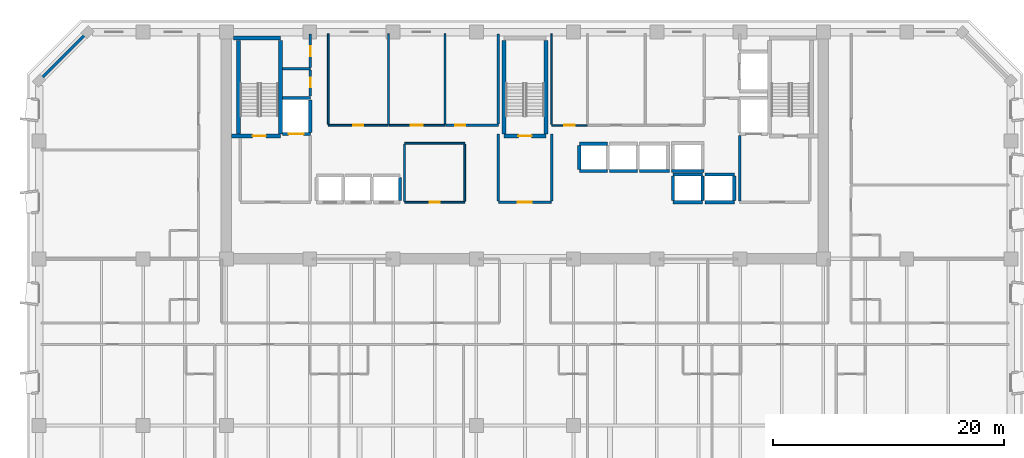
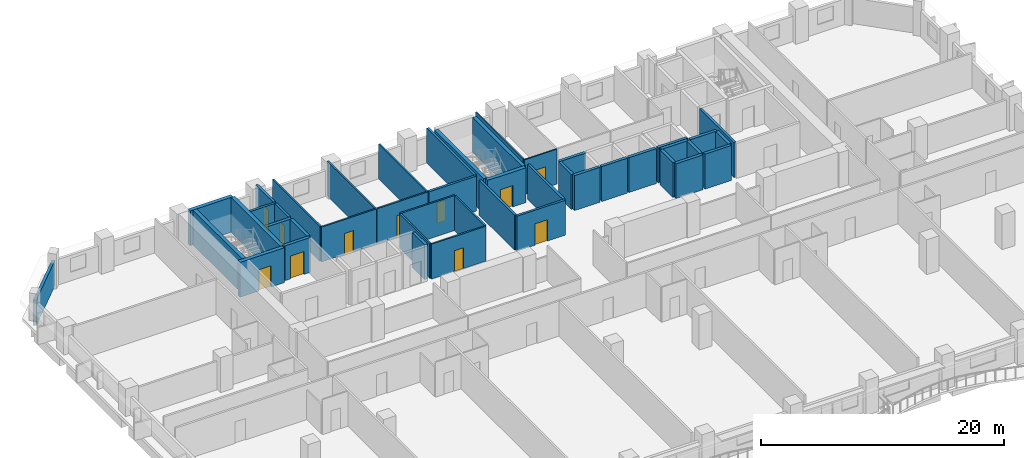
# One storey, part 7 of 15: 45 walls, 11 doors, 11 openings.
"""IFC4 building model written with IfcOpenShell, lengths in metres."""

import ifcopenshell
import ifcopenshell.guid

model = None  # the IFC model being written
_history = None  # IfcOwnerHistory: only IFC2X3 demands one
_inside = {}  # id of a spatial element -> (the spatial element, [elements in it])
_under = {}  # id of a project, library or spatial element -> (it, [spatial elements below it])
_declared = {}  # id of a project -> (the project, [libraries it declares])
_typed = {}  # id of a type object -> (the type object, [elements of that type])
_made_of = {}  # id of a material, layer set ... -> (it, [elements and type objects made of it])


def new_model(schema):
    """Start an empty IFC model of exactly this schema.

    Asked for "IFC4X3", IfcOpenShell would pick the latest addendum, in which some entities
    have other attributes; the version numbers below select the first issue.
    IFC2X3 requires an IfcOwnerHistory on every rooted entity: one is made here for all.
    """
    global model, _history
    if schema == "IFC4X3":
        model = ifcopenshell.file(schema_version=(4, 3, 0, 0))
    else:
        model = ifcopenshell.file(schema=schema)
    _inside.clear()
    _under.clear()
    _declared.clear()
    _typed.clear()
    _made_of.clear()
    _history = None
    if model.schema == "IFC2X3":
        org = make("IfcOrganization", Name="unknown")
        user = make(
            "IfcPersonAndOrganization",
            ThePerson=make("IfcPerson", FamilyName="unknown"),
            TheOrganization=org,
        )
        app = make(
            "IfcApplication",
            ApplicationDeveloper=org,
            Version="unknown",
            ApplicationFullName="unknown",
            ApplicationIdentifier="unknown",
        )
        _history = make(
            "IfcOwnerHistory",
            OwningUser=user,
            OwningApplication=app,
            ChangeAction="ADDED",
            CreationDate=0,
        )
    return model


def make(cls, **values):
    """One entity of the class cls with the attributes given. An attribute that is None is left unset."""
    return model.create_entity(
        cls, **{name: value for name, value in values.items() if value is not None}
    )


def rooted(cls, **values):
    """An entity with a GlobalId (a new one), such as an element, a storey or a relation."""
    return make(cls, GlobalId=ifcopenshell.guid.new(), OwnerHistory=_history, **values)


def si_unit(unit_type, name, prefix=None):
    """IfcSIUnit, for example si_unit("LENGTHUNIT", "METRE", prefix="MILLI")."""
    return make("IfcSIUnit", UnitType=unit_type, Prefix=prefix, Name=name)


def assignment(units):
    """IfcUnitAssignment: the units of a project."""
    return None if units is None else make("IfcUnitAssignment", Units=units)


def point(xyz):
    """IfcCartesianPoint."""
    return None if xyz is None else make("IfcCartesianPoint", Coordinates=xyz)


def direction(xyz):
    """IfcDirection."""
    return None if xyz is None else make("IfcDirection", DirectionRatios=xyz)


def frame(location, z_axis=None, x_axis=None):
    """IfcAxis2Placement3D, a coordinate frame: its origin and axes. An axis left out is left unset."""
    return make(
        "IfcAxis2Placement3D",
        Location=point(location),
        Axis=direction(z_axis),
        RefDirection=direction(x_axis),
    )


def frame_2d(location, x_axis=None):
    """IfcAxis2Placement2D, a coordinate frame in the plane: its origin and x axis."""
    return make(
        "IfcAxis2Placement2D", Location=point(location), RefDirection=direction(x_axis)
    )


def origin():
    """The frame at (0, 0, 0) with its axes left unset."""
    return frame((0.0, 0.0, 0.0))


def place(relative_to, where):
    """IfcLocalPlacement: puts the frame where relative to a parent placement (None: the world)."""
    return make(
        "IfcLocalPlacement", PlacementRelTo=relative_to, RelativePlacement=where
    )


def context(
    kind, dimensions, precision=None, world=None, true_north=None, identifier=None
):
    """IfcGeometricRepresentationContext, for example the 3D "Model" context."""
    return make(
        "IfcGeometricRepresentationContext",
        ContextIdentifier=identifier,
        ContextType=kind,
        CoordinateSpaceDimension=dimensions,
        Precision=precision,
        WorldCoordinateSystem=world,
        TrueNorth=true_north,
    )


def subcontext(parent, identifier, kind, view, scale=None):
    """IfcGeometricRepresentationSubContext, for example "Body" below "Model"."""
    return make(
        "IfcGeometricRepresentationSubContext",
        ContextIdentifier=identifier,
        ContextType=kind,
        ParentContext=parent,
        TargetScale=scale,
        TargetView=view,
    )


def project(units=None, contexts=None):
    """IfcProject with its units and contexts."""
    return rooted(
        "IfcProject",
        Name="project",
        RepresentationContexts=contexts,
        UnitsInContext=assignment(units),
    )


def spatial(cls, under=None, at=None, **own):
    """A site, building, storey or space (cls), placed at a placement, below another one or the project."""
    s = rooted(cls, ObjectPlacement=at, **own)
    if under is not None:
        _under.setdefault(under.id(), (under, []))[1].append(s)
    return s


def profile(cls, at=None, kind="AREA", **sizes):
    """A parametric profile (cls). Its sizes go by their IFC names, for example OverallWidth=200.0."""
    return make(cls, ProfileType=kind, Position=at, **sizes)


def rectangle(**sizes):
    """IfcRectangleProfileDef."""
    return profile("IfcRectangleProfileDef", **sizes)


def extrude(swept, where, along, depth):
    """IfcExtrudedAreaSolid: the profile swept, set in the frame where, extruded along a direction by depth."""
    return make(
        "IfcExtrudedAreaSolid",
        SweptArea=swept,
        Position=where,
        ExtrudedDirection=direction(along),
        Depth=depth,
    )


def shape(context_of_items, identifier, shape_type, items):
    """IfcShapeRepresentation: the items that make up one representation, for example the "Body"."""
    return make(
        "IfcShapeRepresentation",
        ContextOfItems=context_of_items,
        RepresentationIdentifier=identifier,
        RepresentationType=shape_type,
        Items=items,
    )


def material(Name=None, Category=None):
    """IfcMaterial."""
    return make("IfcMaterial", Name=Name, Category=Category)


def layer(
    of_material, thickness, ventilated=None, Name=None, Category=None, Priority=None
):
    """IfcMaterialLayer: one layer of a wall or slab, of a material (None: an air gap)."""
    return make(
        "IfcMaterialLayer",
        Material=of_material,
        LayerThickness=thickness,
        IsVentilated=ventilated,
        Name=Name,
        Category=Category,
        Priority=Priority,
    )


def layer_set(layers, Name=None):
    """IfcMaterialLayerSet."""
    return make("IfcMaterialLayerSet", MaterialLayers=layers, LayerSetName=Name)


def made_of(thing, what):
    """Note that an element or type object is made of a material, layer set ...; save() writes the relation."""
    if what is not None:
        _made_of.setdefault(what.id(), (what, []))[1].append(thing)
    return thing


def type_object(cls, material=None, **own):
    """A type object (cls), such as IfcWallType, which elements share."""
    return made_of(rooted(cls, **own), material)


def element(
    cls,
    number,
    at=None,
    inside=None,
    cuts=None,
    type_object=None,
    material=None,
    context=None,
    identifier="Body",
    shape_type=None,
    held_by="IfcProductDefinitionShape",
    body=None,
    shapes=None,
    **own,
):
    """One element of the class cls, such as IfcWall. Its Tag is "e" and its number.

    at: its placement. inside: the storey or other place that contains it. cuts: it is an
    opening in that element (IfcRelVoidsElement). A single representation is given by context,
    identifier, shape_type and body (its items); several are given by shapes. held_by: the class
    of the entity that holds the representations. save() writes the other relations.
    """
    e = rooted(cls, Tag="e%d" % number, ObjectPlacement=at, **own)
    if body is not None:
        shapes = [shape(context, identifier, shape_type, body)]
    if shapes is not None:
        e.Representation = make(held_by, Representations=shapes)
    if inside is not None:
        _inside.setdefault(inside.id(), (inside, []))[1].append(e)
    if cuts is not None:
        rooted(
            "IfcRelVoidsElement", RelatingBuildingElement=cuts, RelatedOpeningElement=e
        )
    if type_object is not None:
        _typed.setdefault(type_object.id(), (type_object, []))[1].append(e)
    return made_of(e, material)


def fill(opening, filler):
    """IfcRelFillsElement: the door or window that sits in an opening."""
    return rooted(
        "IfcRelFillsElement",
        RelatingOpeningElement=opening,
        RelatedBuildingElement=filler,
    )


def aggregate(whole, parts):
    """IfcRelAggregates: a whole, such as a stair, and the parts it consists of."""
    return rooted("IfcRelAggregates", RelatingObject=whole, RelatedObjects=parts)


def save(model, path):
    """Write the relations noted so far, then the file.

    IfcRelAggregates (storeys below a building ...), IfcRelContainedInSpatialStructure (elements
    in a storey), IfcRelDefinesByType, IfcRelAssociatesMaterial and IfcRelDeclares: one each for
    every whole, place, type object, material and project.
    """
    for whole, parts in _under.values():
        aggregate(whole, parts)
    for where, things in _inside.values():
        rooted(
            "IfcRelContainedInSpatialStructure",
            RelatedElements=things,
            RelatingStructure=where,
        )
    for kind, things in _typed.values():
        rooted("IfcRelDefinesByType", RelatedObjects=things, RelatingType=kind)
    for what, things in _made_of.values():
        rooted("IfcRelAssociatesMaterial", RelatedObjects=things, RelatingMaterial=what)
    for by, libraries in _declared.values():
        rooted("IfcRelDeclares", RelatingContext=by, RelatedDefinitions=libraries)
    model.write(path)


model = new_model("IFC4")

# Units and contexts
model_context = context("Model", 3, precision=1e-05, world=origin(), true_north=direction((0.0, 1.0)))
body_context = subcontext(model_context, "Body", "Model", "MODEL_VIEW")
ifc_project = project(units=[si_unit("LENGTHUNIT", "METRE"), si_unit("AREAUNIT", "SQUARE_METRE"), si_unit("VOLUMEUNIT", "CUBIC_METRE"), si_unit("PLANEANGLEUNIT", "RADIAN"), si_unit("MASSUNIT", "GRAM", prefix="KILO")], contexts=[model_context])

# Site, building, storey
site_placement = place(None, origin())
site = spatial("IfcSite", under=ifc_project, at=site_placement, CompositionType="ELEMENT")
building_placement = place(site_placement, origin())
building = spatial("IfcBuilding", under=site, at=building_placement, Name="Kaelvorn Grand Hotel", CompositionType="ELEMENT")
storey_placement = place(building_placement, frame((0.0, 0.0, 96.800048828125)))
storey = spatial("IfcBuildingStorey", under=building, at=storey_placement, Name="L22", CompositionType="ELEMENT", Elevation=96.800048828125)

# Wall
ifc_material_1 = material(Name="Concrete C40/50", Category="concrete")
ifc_layer_1 = layer(ifc_material_1, 0.260009765625)
ifc_layer_set_1 = layer_set([ifc_layer_1], Name="Concrete C40/50")
wall_type_1 = type_object("IfcWallType", Name="WL-EXT-260-C40", PredefinedType="SOLIDWALL", material=ifc_layer_set_1)
wall_1_placement = place(storey_placement, frame((4.199951171875, 49.0, 0.0), z_axis=(0.0, 0.0, 1.0), x_axis=(-0.707106781187, -0.707106781187, 0.0)))
element("IfcWall", 1, at=wall_1_placement, inside=storey, type_object=wall_type_1, Name="L22 Exterior Architectural Concrete Wall 06", PredefinedType="SOLIDWALL", context=body_context, shape_type="SweptSolid", body=[
    extrude(rectangle(XDim=5.939697265625, YDim=0.260009765625, at=frame_2d((2.9697265625, 0.0))), origin(), (0.0, 0.0, 1.0), 2.56005859375),
])

# Wall, opening, door
ifc_material_2 = material(Name="Moisture-Resistant Tile & Stud Board")
ifc_layer_2 = layer(ifc_material_2, 0.125)
ifc_layer_set_2 = layer_set([ifc_layer_2], Name="Moisture-Resistant Tile & Stud Board")
wall_type_2 = type_object("IfcWallType", Name="WL-PART-125-WET", PredefinedType="PARTITIONING", material=ifc_layer_set_2)
wall_2_placement = place(storey_placement, frame((44.300048828125, 40.949951171875, 0.0), z_axis=(0.0, 0.0, 1.0), x_axis=(1.0, 0.0, 0.0)))
wall_2 = element("IfcWall", 2, at=wall_2_placement, inside=storey, type_object=wall_type_2, Name="L22 Accessible WC S Partition", PredefinedType="PARTITIONING", context=body_context, shape_type="SweptSolid", body=[
    extrude(rectangle(XDim=3.099853515625, YDim=0.125, at=frame_2d((1.5498046875, 0.0))), origin(), (0.0, 0.0, 1.0), 3.510009765625),
])
opening_1_placement = place(wall_2_placement, frame((1.10009765625, 0.0, 0.0)))
opening_1 = element("IfcOpeningElement", 3, at=opening_1_placement, cuts=wall_2, Name="Opening DI4", PredefinedType="OPENING", context=body_context, shape_type="SweptSolid", body=[
    extrude(rectangle(XDim=0.89990234375, YDim=2.10009765625, at=frame_2d((0.449951171875, 1.050048828125))), frame((0.0, 0.072509765625, 0.0), z_axis=(0.0, -1.0, 0.0), x_axis=(1.0, 0.0, 0.0)), (0.0, 0.0, 1.0), 0.14501953125),
])
ifc_material_3 = material(Name="Timber Veneer Leaf", Category="wood")
door_type_1 = type_object("IfcDoorType", Name="DR-INT-BATH-900x2100", OperationType="NOTDEFINED", PredefinedType="DOOR", material=ifc_material_3)
door_1_placement = place(opening_1_placement, origin())
door_1 = element("IfcDoor", 4, at=door_1_placement, inside=storey, type_object=door_type_1, Name="L22 Accessible WC Door", OperationType="SINGLE_SWING_LEFT", OverallHeight=2.10009765625, OverallWidth=0.89990234375, PredefinedType="DOOR", context=body_context, shape_type="SweptSolid", body=[
    extrude(rectangle(XDim=0.89990234375, YDim=2.10009765625, at=frame_2d((0.449951171875, 1.050048828125))), frame((0.0, 0.02490234375, 0.0), z_axis=(0.0, -1.0, 0.0), x_axis=(1.0, 0.0, 0.0)), (0.0, 0.0, 1.0), 0.050048828125),
])
fill(opening_1, door_1)

# Wall
wall_3_placement = place(storey_placement, frame((44.300048828125, 41.017578125, 0.0), z_axis=(0.0, 0.0, 1.0), x_axis=(0.0, 1.0, 0.0)))
element("IfcWall", 5, at=wall_3_placement, inside=storey, type_object=wall_type_2, Name="L22 Accessible WC W Partition", PredefinedType="PARTITIONING", context=body_context, shape_type="SweptSolid", body=[
    extrude(rectangle(XDim=7.83251953125, YDim=0.125, at=frame_2d((3.916259765625, 0.0))), origin(), (0.0, 0.0, 1.0), 3.510009765625),
])

# Wall, opening, door
ifc_material_4 = material(Name="Acoustic Gypsum & Stud Partition")
ifc_layer_3 = layer(ifc_material_4, 0.14990234375)
ifc_layer_set_3 = layer_set([ifc_layer_3], Name="Acoustic Gypsum & Stud Partition")
wall_type_3 = type_object("IfcWallType", Name="WL-PART-150-EI60", PredefinedType="PARTITIONING", material=ifc_layer_set_3)
wall_4_placement = place(storey_placement, frame((31.60009765625, 34.300048828125, 0.0), z_axis=(0.0, 0.0, 1.0), x_axis=(1.0, 0.0, 0.0)))
wall_4 = element("IfcWall", 6, at=wall_4_placement, inside=storey, type_object=wall_type_3, Name="L22 Core Telecoms & BMS Server Room S Partition", PredefinedType="PARTITIONING", context=body_context, shape_type="SweptSolid", body=[
    extrude(rectangle(XDim=5.199951171875, YDim=0.14990234375, at=frame_2d((2.60009765625, 0.0))), origin(), (0.0, 0.0, 1.0), 3.510009765625),
])
opening_2_placement = place(wall_4_placement, frame((2.175048828125, 0.0, 0.0)))
opening_2 = element("IfcOpeningElement", 7, at=opening_2_placement, cuts=wall_4, Name="Opening DI7", PredefinedType="OPENING", context=body_context, shape_type="SweptSolid", body=[
    extrude(rectangle(XDim=0.85009765625, YDim=2.10009765625, at=frame_2d((0.425048828125, 1.050048828125))), frame((0.0, 0.0849609375, 0.0), z_axis=(0.0, -1.0, 0.0), x_axis=(1.0, 0.0, 0.0)), (0.0, 0.0, 1.0), 0.169921875),
])
ifc_material_5 = material(Name="Powder-Coated Steel Leaf", Category="steel")
door_type_2 = type_object("IfcDoorType", Name="DR-INT-RISER-850x2100", OperationType="NOTDEFINED", PredefinedType="DOOR", material=ifc_material_5)
door_2_placement = place(opening_2_placement, origin())
door_2 = element("IfcDoor", 8, at=door_2_placement, inside=storey, type_object=door_type_2, Name="L22 Core Telecoms & BMS Server Room Door", OperationType="SINGLE_SWING_LEFT", OverallHeight=2.10009765625, OverallWidth=0.85009765625, PredefinedType="DOOR", context=body_context, shape_type="SweptSolid", body=[
    extrude(rectangle(XDim=0.85009765625, YDim=2.10009765625, at=frame_2d((0.425048828125, 1.050048828125))), frame((0.0, 0.02490234375, 0.0), z_axis=(0.0, -1.0, 0.0), x_axis=(1.0, 0.0, 0.0)), (0.0, 0.0, 1.0), 0.050048828125),
])
fill(opening_2, door_2)

# Walls
wall_5_placement = place(storey_placement, frame((31.60009765625, 39.39990234375, 0.0), z_axis=(0.0, 0.0, 1.0), x_axis=(1.0, 0.0, 0.0)))
element("IfcWall", 9, at=wall_5_placement, inside=storey, type_object=wall_type_3, Name="L22 Core Telecoms & BMS Server Room N Partition", PredefinedType="PARTITIONING", context=body_context, shape_type="SweptSolid", body=[
    extrude(rectangle(XDim=5.199951171875, YDim=0.14990234375, at=frame_2d((2.60009765625, 0.0))), origin(), (0.0, 0.0, 1.0), 3.510009765625),
])
for number, where, z_axis, x_axis, name in (
    (10, (31.60009765625, 34.3798828125, 0.0), (0.0, 0.0, 1.0), (0.0, 1.0, 0.0), "L22 Core Telecoms & BMS Server Room W Partition"),
    (11, (36.800048828125, 34.3798828125, 0.0), (0.0, 0.0, 1.0), (0.0, 1.0, 0.0), "L22 Core Telecoms & BMS Server Room E Partition"),
):
    element("IfcWall", number, at=place(storey_placement, frame(where, z_axis=z_axis, x_axis=x_axis)), inside=storey, type_object=wall_type_3, Name=name, PredefinedType="PARTITIONING", context=body_context, shape_type="SweptSolid", body=[
        extrude(rectangle(XDim=4.940185546875, YDim=0.14990234375, at=frame_2d((2.47021484375, 0.0))), origin(), (0.0, 0.0, 1.0), 3.510009765625),
    ])

# Wall, opening, door
wall_6_placement = place(storey_placement, frame((25.0, 40.949951171875, 0.0), z_axis=(0.0, 0.0, 1.0), x_axis=(1.0, 0.0, 0.0)))
wall_6 = element("IfcWall", 12, at=wall_6_placement, inside=storey, type_object=wall_type_3, Name="L22 Housekeeping & Linen Room S Partition", PredefinedType="PARTITIONING", context=body_context, shape_type="SweptSolid", body=[
    extrude(rectangle(XDim=5.199951171875, YDim=0.14990234375, at=frame_2d((2.60009765625, 0.0))), origin(), (0.0, 0.0, 1.0), 3.510009765625),
])
opening_3_placement = place(wall_6_placement, frame((2.175048828125, 0.0, 0.0)))
opening_3 = element("IfcOpeningElement", 13, at=opening_3_placement, cuts=wall_6, Name="Opening DI7", PredefinedType="OPENING", context=body_context, shape_type="SweptSolid", body=[
    extrude(rectangle(XDim=0.85009765625, YDim=2.10009765625, at=frame_2d((0.425048828125, 1.050048828125))), frame((0.0, 0.0849609375, 0.0), z_axis=(0.0, -1.0, 0.0), x_axis=(1.0, 0.0, 0.0)), (0.0, 0.0, 1.0), 0.169921875),
])
door_3_placement = place(opening_3_placement, origin())
door_3 = element("IfcDoor", 14, at=door_3_placement, inside=storey, type_object=door_type_2, Name="L22 Housekeeping & Linen Room Door", OperationType="SINGLE_SWING_RIGHT", OverallHeight=2.10009765625, OverallWidth=0.85009765625, PredefinedType="DOOR", context=body_context, shape_type="SweptSolid", body=[
    extrude(rectangle(XDim=0.85009765625, YDim=2.10009765625, at=frame_2d((0.425048828125, 1.050048828125))), frame((0.0, 0.02490234375, 0.0), z_axis=(0.0, -1.0, 0.0), x_axis=(1.0, 0.0, 0.0)), (0.0, 0.0, 1.0), 0.050048828125),
])
fill(opening_3, door_3)

# Walls
for number, where, z_axis, x_axis, name in (
    (15, (25.0, 41.030029296875, 0.0), (0.0, 0.0, 1.0), (0.0, 1.0, 0.0), "L22 Housekeeping & Linen Room W Partition"),
    (16, (30.199951171875, 41.030029296875, 0.0), (0.0, 0.0, 1.0), (0.0, 1.0, 0.0), "L22 Housekeeping & Linen Room E Partition"),
):
    element("IfcWall", number, at=place(storey_placement, frame(where, z_axis=z_axis, x_axis=x_axis)), inside=storey, type_object=wall_type_3, Name=name, PredefinedType="PARTITIONING", context=body_context, shape_type="SweptSolid", body=[
        extrude(rectangle(XDim=7.820068359375, YDim=0.14990234375, at=frame_2d((3.91015625, 0.0))), origin(), (0.0, 0.0, 1.0), 3.510009765625),
    ])

# Wall, opening, door
wall_7_placement = place(storey_placement, frame((30.280029296875, 40.949951171875, 0.0), z_axis=(0.0, 0.0, 1.0), x_axis=(1.0, 0.0, 0.0)))
wall_7 = element("IfcWall", 17, at=wall_7_placement, inside=storey, type_object=wall_type_3, Name="L22 Room Service Servery Pantry S Partition", PredefinedType="PARTITIONING", context=body_context, shape_type="SweptSolid", body=[
    extrude(rectangle(XDim=4.820068359375, YDim=0.14990234375, at=frame_2d((2.41015625, 0.0))), origin(), (0.0, 0.0, 1.0), 3.510009765625),
])
opening_4_placement = place(wall_7_placement, frame((1.8701171875, 0.0, 0.0)))
opening_4 = element("IfcOpeningElement", 18, at=opening_4_placement, cuts=wall_7, Name="Opening DI3", PredefinedType="OPENING", context=body_context, shape_type="SweptSolid", body=[
    extrude(rectangle(XDim=1.0, YDim=2.14990234375, at=frame_2d((0.5, 1.074951171875))), frame((0.0, 0.0849609375, 0.0), z_axis=(0.0, -1.0, 0.0), x_axis=(1.0, 0.0, 0.0)), (0.0, 0.0, 1.0), 0.169921875),
])
ifc_material_6 = material(Name="Timber Veneer Fire Leaf", Category="wood")
door_type_3 = type_object("IfcDoorType", Name="DR-INT-GUEST-1000x2150", OperationType="NOTDEFINED", PredefinedType="DOOR", material=ifc_material_6)
door_4_placement = place(opening_4_placement, origin())
door_4 = element("IfcDoor", 19, at=door_4_placement, inside=storey, type_object=door_type_3, Name="L22 Room Service Servery Pantry Door", OperationType="SINGLE_SWING_LEFT", OverallHeight=2.14990234375, OverallWidth=1.0, PredefinedType="DOOR", context=body_context, shape_type="SweptSolid", body=[
    extrude(rectangle(XDim=1.0, YDim=2.14990234375, at=frame_2d((0.5, 1.074951171875))), frame((0.0, 0.02490234375, 0.0), z_axis=(0.0, -1.0, 0.0), x_axis=(1.0, 0.0, 0.0)), (0.0, 0.0, 1.0), 0.050048828125),
])
fill(opening_4, door_4)

# Walls
wall_8_placement = place(storey_placement, frame((35.10009765625, 41.030029296875, 0.0), z_axis=(0.0, 0.0, 1.0), x_axis=(0.0, 1.0, 0.0)))
element("IfcWall", 20, at=wall_8_placement, inside=storey, type_object=wall_type_3, Name="L22 Room Service Servery Pantry E Partition", PredefinedType="PARTITIONING", context=body_context, shape_type="SweptSolid", body=[
    extrude(rectangle(XDim=7.820068359375, YDim=0.14990234375, at=frame_2d((3.91015625, 0.0))), origin(), (0.0, 0.0, 1.0), 3.510009765625),
])
ifc_layer_4 = layer(ifc_material_1, 0.219970703125)
ifc_layer_set_4 = layer_set([ifc_layer_4], Name="Concrete C40/50")
wall_type_4 = type_object("IfcWallType", Name="WL-PART-220-EI120", PredefinedType="PARTITIONING", material=ifc_layer_set_4)
wall_9_placement = place(storey_placement, frame((60.550048828125, 34.4150390625, 0.0), z_axis=(0.0, 0.0, 1.0), x_axis=(0.0, 1.0, 0.0)))
element("IfcWall", 21, at=wall_9_placement, inside=storey, type_object=wall_type_4, Name="L22 Firefighting Lift Lobby 2 W Partition", PredefinedType="PARTITIONING", context=body_context, shape_type="SweptSolid", body=[
    extrude(rectangle(XDim=5.639892578125, YDim=0.219970703125, at=frame_2d((2.81982421875, 0.0))), origin(), (0.0, 0.0, 1.0), 3.510009765625),
])

# Wall, opening, door
wall_10_placement = place(storey_placement, frame((39.699951171875, 34.300048828125, 0.0), z_axis=(0.0, 0.0, 1.0), x_axis=(1.0, 0.0, 0.0)))
wall_10 = element("IfcWall", 22, at=wall_10_placement, inside=storey, type_object=wall_type_4, Name="L22 Central Stair Escape Vestibule S Partition", PredefinedType="PARTITIONING", context=body_context, shape_type="SweptSolid", body=[
    extrude(rectangle(XDim=4.60009765625, YDim=0.219970703125, at=frame_2d((2.300048828125, 0.0))), origin(), (0.0, 0.0, 1.0), 3.510009765625),
])
opening_5_placement = place(wall_10_placement, frame((1.699951171875, 0.0, 0.0)))
opening_5 = element("IfcOpeningElement", 23, at=opening_5_placement, cuts=wall_10, Name="Opening DI2", PredefinedType="OPENING", context=body_context, shape_type="SweptSolid", body=[
    extrude(rectangle(XDim=1.199951171875, YDim=2.14990234375, at=frame_2d((0.60009765625, 1.074951171875))), frame((0.0, 0.1201171875, 0.0), z_axis=(0.0, -1.0, 0.0), x_axis=(1.0, 0.0, 0.0)), (0.0, 0.0, 1.0), 0.239990234375),
])
door_type_4 = type_object("IfcDoorType", Name="DR-INT-FFLOB-1200x2150", OperationType="NOTDEFINED", PredefinedType="DOOR", material=ifc_material_6)
door_5_placement = place(opening_5_placement, origin())
door_5 = element("IfcDoor", 24, at=door_5_placement, inside=storey, type_object=door_type_4, Name="L22 Central Stair Escape Vestibule Door", OperationType="SINGLE_SWING_LEFT", OverallHeight=2.14990234375, OverallWidth=1.199951171875, PredefinedType="DOOR", context=body_context, shape_type="SweptSolid", body=[
    extrude(rectangle(XDim=1.199951171875, YDim=2.14990234375, at=frame_2d((0.60009765625, 1.074951171875))), frame((0.0, 0.02490234375, 0.0), z_axis=(0.0, -1.0, 0.0), x_axis=(1.0, 0.0, 0.0)), (0.0, 0.0, 1.0), 0.050048828125),
])
fill(opening_5, door_5)

# Walls
for number, where, z_axis, x_axis, name in (
    (25, (39.699951171875, 34.4150390625, 0.0), (0.0, 0.0, 1.0), (0.0, 1.0, 0.0), "L22 Central Stair Escape Vestibule W Partition"),
    (26, (44.300048828125, 34.4150390625, 0.0), (0.0, 0.0, 1.0), (0.0, 1.0, 0.0), "L22 Central Stair Escape Vestibule E Partition"),
):
    element("IfcWall", number, at=place(storey_placement, frame(where, z_axis=z_axis, x_axis=x_axis)), inside=storey, type_object=wall_type_4, Name=name, PredefinedType="PARTITIONING", context=body_context, shape_type="SweptSolid", body=[
        extrude(rectangle(XDim=5.784912109375, YDim=0.219970703125, at=frame_2d((2.892578125, 0.0))), origin(), (0.0, 0.0, 1.0), 3.510009765625),
    ])
wall_11_placement = place(storey_placement, frame((21.034912109375, 45.85009765625, 0.0), z_axis=(0.0, 0.0, 1.0), x_axis=(1.0, 0.0, 0.0)))
element("IfcWall", 27, at=wall_11_placement, inside=storey, type_object=wall_type_4, Name="L22 Wet Fire & Plumbing Riser Shaft N Partition", PredefinedType="PARTITIONING", context=body_context, shape_type="SweptSolid", body=[
    extrude(rectangle(XDim=2.4150390625, YDim=0.219970703125, at=frame_2d((1.20751953125, 0.0))), origin(), (0.0, 0.0, 1.0), 3.510009765625),
])

# Wall, opening, door
wall_12_placement = place(storey_placement, frame((23.449951171875, 43.5, 0.0), z_axis=(0.0, 0.0, 1.0), x_axis=(0.0, 1.0, 0.0)))
wall_12 = element("IfcWall", 28, at=wall_12_placement, inside=storey, type_object=wall_type_4, Name="L22 Wet Fire & Plumbing Riser Shaft E Partition", PredefinedType="PARTITIONING", context=body_context, shape_type="SweptSolid", body=[
    extrude(rectangle(XDim=2.235107421875, YDim=0.219970703125, at=frame_2d((1.11767578125, 0.0))), origin(), (0.0, 0.0, 1.0), 3.510009765625),
])
opening_6_placement = place(wall_12_placement, frame((0.72509765625, 0.0, 0.0)))
opening_6 = element("IfcOpeningElement", 29, at=opening_6_placement, cuts=wall_12, Name="Opening DI7", PredefinedType="OPENING", context=body_context, shape_type="SweptSolid", body=[
    extrude(rectangle(XDim=0.85009765625, YDim=2.10009765625, at=frame_2d((0.425048828125, 1.050048828125))), frame((0.0, 0.1201171875, 0.0), z_axis=(0.0, -1.0, 0.0), x_axis=(1.0, 0.0, 0.0)), (0.0, 0.0, 1.0), 0.239990234375),
])
door_6_placement = place(opening_6_placement, origin())
door_6 = element("IfcDoor", 30, at=door_6_placement, inside=storey, type_object=door_type_2, Name="L22 Wet Fire & Plumbing Riser Shaft Door", OperationType="SINGLE_SWING_LEFT", OverallHeight=2.10009765625, OverallWidth=0.85009765625, PredefinedType="DOOR", context=body_context, shape_type="SweptSolid", body=[
    extrude(rectangle(XDim=0.85009765625, YDim=2.10009765625, at=frame_2d((0.425048828125, 1.050048828125))), frame((0.0, 0.02490234375, 0.0), z_axis=(0.0, -1.0, 0.0), x_axis=(1.0, 0.0, 0.0)), (0.0, 0.0, 1.0), 0.050048828125),
])
fill(opening_6, door_6)

wall_13_placement = place(storey_placement, frame((23.449951171875, 45.965087890625, 0.0), z_axis=(0.0, 0.0, 1.0), x_axis=(0.0, 1.0, 0.0)))
wall_13 = element("IfcWall", 31, at=wall_13_placement, inside=storey, type_object=wall_type_4, Name="L22 HV Electrical & Smoke Riser E Partition", PredefinedType="PARTITIONING", context=body_context, shape_type="SweptSolid", body=[
    extrude(rectangle(XDim=2.885009765625, YDim=0.219970703125, at=frame_2d((1.4423828125, 0.0))), origin(), (0.0, 0.0, 1.0), 3.510009765625),
])
opening_7_placement = place(wall_13_placement, frame((0.9599609375, 0.0, 0.0)))
opening_7 = element("IfcOpeningElement", 32, at=opening_7_placement, cuts=wall_13, Name="Opening DI7", PredefinedType="OPENING", context=body_context, shape_type="SweptSolid", body=[
    extrude(rectangle(XDim=0.85009765625, YDim=2.10009765625, at=frame_2d((0.425048828125, 1.050048828125))), frame((0.0, 0.1201171875, 0.0), z_axis=(0.0, -1.0, 0.0), x_axis=(1.0, 0.0, 0.0)), (0.0, 0.0, 1.0), 0.239990234375),
])
door_7_placement = place(opening_7_placement, origin())
door_7 = element("IfcDoor", 33, at=door_7_placement, inside=storey, type_object=door_type_2, Name="L22 HV Electrical & Smoke Riser Door", OperationType="SINGLE_SWING_RIGHT", OverallHeight=2.10009765625, OverallWidth=0.85009765625, PredefinedType="DOOR", context=body_context, shape_type="SweptSolid", body=[
    extrude(rectangle(XDim=0.85009765625, YDim=2.10009765625, at=frame_2d((0.425048828125, 1.050048828125))), frame((0.0, 0.02490234375, 0.0), z_axis=(0.0, -1.0, 0.0), x_axis=(1.0, 0.0, 0.0)), (0.0, 0.0, 1.0), 0.050048828125),
])
fill(opening_7, door_7)

wall_14_placement = place(storey_placement, frame((35.179931640625, 40.949951171875, 0.0), z_axis=(0.0, 0.0, 1.0), x_axis=(1.0, 0.0, 0.0)))
wall_14 = element("IfcWall", 34, at=wall_14_placement, inside=storey, type_object=wall_type_4, Name="L22 Floor Electrical Switchroom S Partition", PredefinedType="PARTITIONING", context=body_context, shape_type="SweptSolid", body=[
    extrude(rectangle(XDim=4.52001953125, YDim=0.219970703125, at=frame_2d((2.260009765625, 0.0))), origin(), (0.0, 0.0, 1.0), 3.510009765625),
])
opening_8_placement = place(wall_14_placement, frame((0.794921875, 0.0, 0.0)))
opening_8 = element("IfcOpeningElement", 35, at=opening_8_placement, cuts=wall_14, Name="Opening DI7", PredefinedType="OPENING", context=body_context, shape_type="SweptSolid", body=[
    extrude(rectangle(XDim=0.85009765625, YDim=2.10009765625, at=frame_2d((0.425048828125, 1.050048828125))), frame((0.0, 0.1201171875, 0.0), z_axis=(0.0, -1.0, 0.0), x_axis=(1.0, 0.0, 0.0)), (0.0, 0.0, 1.0), 0.239990234375),
])
door_8_placement = place(opening_8_placement, origin())
door_8 = element("IfcDoor", 36, at=door_8_placement, inside=storey, type_object=door_type_2, Name="L22 Floor Electrical Switchroom Door", OperationType="SINGLE_SWING_RIGHT", OverallHeight=2.10009765625, OverallWidth=0.85009765625, PredefinedType="DOOR", context=body_context, shape_type="SweptSolid", body=[
    extrude(rectangle(XDim=0.85009765625, YDim=2.10009765625, at=frame_2d((0.425048828125, 1.050048828125))), frame((0.0, 0.02490234375, 0.0), z_axis=(0.0, -1.0, 0.0), x_axis=(1.0, 0.0, 0.0)), (0.0, 0.0, 1.0), 0.050048828125),
])
fill(opening_8, door_8)

# Walls
wall_15_placement = place(storey_placement, frame((39.699951171875, 41.06494140625, 0.0), z_axis=(0.0, 0.0, 1.0), x_axis=(0.0, 1.0, 0.0)))
element("IfcWall", 37, at=wall_15_placement, inside=storey, type_object=wall_type_4, Name="L22 Floor Electrical Switchroom E Partition", PredefinedType="PARTITIONING", context=body_context, shape_type="SweptSolid", body=[
    extrude(rectangle(XDim=7.78515625, YDim=0.219970703125, at=frame_2d((3.892578125, 0.0))), origin(), (0.0, 0.0, 1.0), 3.510009765625),
])
ifc_material_7 = material(Name="Concrete C50/60", Category="concrete")
ifc_layer_5 = layer(ifc_material_7, 0.280029296875)
ifc_layer_set_5 = layer_set([ifc_layer_5], Name="Concrete C50/60")
wall_type_5 = type_object("IfcWallType", Name="WL-SHAFT-280-C50", PredefinedType="SHEAR", material=ifc_layer_set_5)
wall_16_placement = place(storey_placement, frame((31.199951171875, 34.445068359375, 0.0), z_axis=(0.0, 0.0, 1.0), x_axis=(0.0, 1.0, 0.0)))
element("IfcWall", 38, at=wall_16_placement, inside=storey, type_object=wall_type_5, Name="L22 Lift PL-L3 Shaft East Wall", PredefinedType="SHEAR", context=body_context, shape_type="SweptSolid", body=[
    extrude(rectangle(XDim=2.010009765625, YDim=0.280029296875, at=frame_2d((1.0048828125, 0.0))), origin(), (0.0, 0.0, 1.0), 3.510009765625),
])
for number, where, z_axis, x_axis, name in (
    (39, (46.699951171875, 37.0, 0.0), (0.0, 0.0, 1.0), (1.0, 0.0, 0.0), "L22 Lift SL-1 Shaft South Wall"),
    (40, (46.699951171875, 39.35009765625, 0.0), (0.0, 0.0, 1.0), (1.0, 0.0, 0.0), "L22 Lift SL-1 Shaft North Wall"),
):
    element("IfcWall", number, at=place(storey_placement, frame(where, z_axis=z_axis, x_axis=x_axis)), inside=storey, type_object=wall_type_5, Name=name, PredefinedType="SHEAR", context=body_context, shape_type="SweptSolid", body=[
        extrude(rectangle(XDim=2.449951171875, YDim=0.280029296875, at=frame_2d((1.22509765625, 0.0))), origin(), (0.0, 0.0, 1.0), 3.510009765625),
    ])
wall_17_placement = place(storey_placement, frame((46.699951171875, 37.14501953125, 0.0), z_axis=(0.0, 0.0, 1.0), x_axis=(0.0, 1.0, 0.0)))
element("IfcWall", 41, at=wall_17_placement, inside=storey, type_object=wall_type_5, Name="L22 Lift SL-1 Shaft West Wall", PredefinedType="SHEAR", context=body_context, shape_type="SweptSolid", body=[
    extrude(rectangle(XDim=2.06005859375, YDim=0.280029296875, at=frame_2d((1.030029296875, 0.0))), origin(), (0.0, 0.0, 1.0), 3.510009765625),
])
wall_18_placement = place(storey_placement, frame((49.300048828125, 37.0, 0.0), z_axis=(0.0, 0.0, 1.0), x_axis=(1.0, 0.0, 0.0)))
element("IfcWall", 42, at=wall_18_placement, inside=storey, type_object=wall_type_5, Name="L22 Lift SL-2 Shaft South Wall", PredefinedType="SHEAR", context=body_context, shape_type="SweptSolid", body=[
    extrude(rectangle(XDim=2.449951171875, YDim=0.280029296875, at=frame_2d((1.22509765625, 0.0))), origin(), (0.0, 0.0, 1.0), 3.510009765625),
])
wall_19_placement = place(storey_placement, frame((51.89990234375, 37.0, 0.0), z_axis=(0.0, 0.0, 1.0), x_axis=(1.0, 0.0, 0.0)))
element("IfcWall", 43, at=wall_19_placement, inside=storey, type_object=wall_type_5, Name="L22 Lift SL-3 Shaft South Wall", PredefinedType="SHEAR", context=body_context, shape_type="SweptSolid", body=[
    extrude(rectangle(XDim=2.590087890625, YDim=0.280029296875, at=frame_2d((1.294921875, 0.0))), origin(), (0.0, 0.0, 1.0), 3.510009765625),
])
for number, where, z_axis, x_axis, name in (
    (44, (54.800048828125, 34.300048828125, 0.0), (0.0, 0.0, 1.0), (1.0, 0.0, 0.0), "L22 Lift OL-1 Shaft South Wall"),
    (45, (54.800048828125, 36.699951171875, 0.0), (0.0, 0.0, 1.0), (1.0, 0.0, 0.0), "L22 Lift OL-1 Shaft North Wall"),
):
    element("IfcWall", number, at=place(storey_placement, frame(where, z_axis=z_axis, x_axis=x_axis)), inside=storey, type_object=wall_type_5, Name=name, PredefinedType="SHEAR", context=body_context, shape_type="SweptSolid", body=[
        extrude(rectangle(XDim=2.550048828125, YDim=0.280029296875, at=frame_2d((1.27490234375, 0.0))), origin(), (0.0, 0.0, 1.0), 3.510009765625),
    ])
for number, where, z_axis, x_axis, name in (
    (46, (54.800048828125, 34.445068359375, 0.0), (0.0, 0.0, 1.0), (0.0, 1.0, 0.0), "L22 Lift OL-1 Shaft West Wall"),
    (47, (57.35009765625, 34.445068359375, 0.0), (0.0, 0.0, 1.0), (0.0, 1.0, 0.0), "L22 Lift OL-1 Shaft East Wall"),
):
    element("IfcWall", number, at=place(storey_placement, frame(where, z_axis=z_axis, x_axis=x_axis)), inside=storey, type_object=wall_type_5, Name=name, PredefinedType="SHEAR", context=body_context, shape_type="SweptSolid", body=[
        extrude(rectangle(XDim=2.10986328125, YDim=0.280029296875, at=frame_2d((1.054931640625, 0.0))), origin(), (0.0, 0.0, 1.0), 3.510009765625),
    ])
for number, where, z_axis, x_axis, name in (
    (48, (57.550048828125, 34.300048828125, 0.0), (0.0, 0.0, 1.0), (1.0, 0.0, 0.0), "L22 Lift OL-2 Shaft South Wall"),
    (49, (57.550048828125, 36.699951171875, 0.0), (0.0, 0.0, 1.0), (1.0, 0.0, 0.0), "L22 Lift OL-2 Shaft North Wall"),
):
    element("IfcWall", number, at=place(storey_placement, frame(where, z_axis=z_axis, x_axis=x_axis)), inside=storey, type_object=wall_type_5, Name=name, PredefinedType="SHEAR", context=body_context, shape_type="SweptSolid", body=[
        extrude(rectangle(XDim=2.550048828125, YDim=0.280029296875, at=frame_2d((1.27490234375, 0.0))), origin(), (0.0, 0.0, 1.0), 3.510009765625),
    ])
wall_20_placement = place(storey_placement, frame((60.10009765625, 34.445068359375, 0.0), z_axis=(0.0, 0.0, 1.0), x_axis=(0.0, 1.0, 0.0)))
element("IfcWall", 50, at=wall_20_placement, inside=storey, type_object=wall_type_5, Name="L22 Lift OL-2 Shaft East Wall", PredefinedType="SHEAR", context=body_context, shape_type="SweptSolid", body=[
    extrude(rectangle(XDim=2.10986328125, YDim=0.280029296875, at=frame_2d((1.054931640625, 0.0))), origin(), (0.0, 0.0, 1.0), 3.510009765625),
])
wall_21_placement = place(storey_placement, frame((54.659912109375, 37.0, 0.0), z_axis=(0.0, 0.0, 1.0), x_axis=(1.0, 0.0, 0.0)))
element("IfcWall", 51, at=wall_21_placement, inside=storey, type_object=wall_type_5, Name="L22 Lift OL-3 Shaft South Wall", PredefinedType="SHEAR", context=body_context, shape_type="SweptSolid", body=[
    extrude(rectangle(XDim=2.830078125, YDim=0.280029296875, at=frame_2d((1.4150390625, 0.0))), origin(), (0.0, 0.0, 1.0), 3.510009765625),
])

# Wall, opening, door
wall_22_placement = place(storey_placement, frame((21.034912109375, 40.199951171875, 0.0), z_axis=(0.0, 0.0, 1.0), x_axis=(1.0, 0.0, 0.0)))
wall_22 = element("IfcWall", 52, at=wall_22_placement, inside=storey, type_object=wall_type_5, Name="L22 Lift FFL1 Shaft South Wall", PredefinedType="SHEAR", context=body_context, shape_type="SweptSolid", body=[
    extrude(rectangle(XDim=2.4150390625, YDim=0.280029296875, at=frame_2d((1.20751953125, 0.0))), origin(), (0.0, 0.0, 1.0), 3.510009765625),
])
opening_9_placement = place(wall_22_placement, frame((0.5400390625, 0.0, 0.0)))
opening_9 = element("IfcOpeningElement", 53, at=opening_9_placement, cuts=wall_22, Name="Opening LD-FFL1", PredefinedType="OPENING", context=body_context, shape_type="SweptSolid", body=[
    extrude(rectangle(XDim=1.300048828125, YDim=2.300048828125, at=frame_2d((0.64990234375, 1.14990234375))), frame((0.0, 0.14990234375, 0.0), z_axis=(0.0, -1.0, 0.0), x_axis=(1.0, 0.0, 0.0)), (0.0, 0.0, 1.0), 0.300048828125),
])
ifc_material_8 = material(Name="Stainless Steel", Category="steel")
door_type_5 = type_object("IfcDoorType", Name="DR-LIFT-SERV-1300x2300", OperationType="DOUBLE_DOOR_SLIDING", PredefinedType="DOOR", material=ifc_material_8)
door_9_placement = place(opening_9_placement, origin())
door_9 = element("IfcDoor", 54, at=door_9_placement, inside=storey, type_object=door_type_5, Name="L22 Lift FFL1 Sliding Landing Door LD-FFL1", OperationType="DOUBLE_DOOR_SLIDING", OverallHeight=2.300048828125, OverallWidth=1.300048828125, PredefinedType="DOOR", context=body_context, shape_type="SweptSolid", body=[
    extrude(rectangle(XDim=1.300048828125, YDim=2.300048828125, at=frame_2d((0.64990234375, 1.14990234375))), frame((0.0, 0.02490234375, 0.0), z_axis=(0.0, -1.0, 0.0), x_axis=(1.0, 0.0, 0.0)), (0.0, 0.0, 1.0), 0.050048828125),
])
fill(opening_9, door_9)

# Walls
wall_23_placement = place(storey_placement, frame((21.034912109375, 43.300048828125, 0.0), z_axis=(0.0, 0.0, 1.0), x_axis=(1.0, 0.0, 0.0)))
element("IfcWall", 55, at=wall_23_placement, inside=storey, type_object=wall_type_5, Name="L22 Lift FFL1 Shaft North Wall", PredefinedType="SHEAR", context=body_context, shape_type="SweptSolid", body=[
    extrude(rectangle(XDim=2.4150390625, YDim=0.280029296875, at=frame_2d((1.20751953125, 0.0))), origin(), (0.0, 0.0, 1.0), 3.510009765625),
])
wall_24_placement = place(storey_placement, frame((23.449951171875, 40.344970703125, 0.0), z_axis=(0.0, 0.0, 1.0), x_axis=(0.0, 1.0, 0.0)))
element("IfcWall", 56, at=wall_24_placement, inside=storey, type_object=wall_type_5, Name="L22 Lift FFL1 Shaft East Wall", PredefinedType="SHEAR", context=body_context, shape_type="SweptSolid", body=[
    extrude(rectangle(XDim=2.81005859375, YDim=0.280029296875, at=frame_2d((1.405029296875, 0.0))), origin(), (0.0, 0.0, 1.0), 3.510009765625),
])

# Wall, opening, door
ifc_material_9 = material(Name="Concrete C60/75", Category="concrete")
ifc_layer_6 = layer(ifc_material_9, 0.35009765625)
ifc_layer_set_6 = layer_set([ifc_layer_6], Name="Concrete C60/75")
wall_type_6 = type_object("IfcWallType", Name="WL-SHAFT-350-C60", PredefinedType="SHEAR", material=ifc_layer_set_6)
wall_25_placement = place(storey_placement, frame((16.655029296875, 40.02490234375, 0.0), z_axis=(0.0, 0.0, 1.0), x_axis=(1.0, 0.0, 0.0)))
wall_25 = element("IfcWall", 57, at=wall_25_placement, inside=storey, type_object=wall_type_6, Name="L22 ST1 Stair Shaft South Wall", PredefinedType="SHEAR", context=body_context, shape_type="SweptSolid", body=[
    extrude(rectangle(XDim=4.199951171875, YDim=0.35009765625, at=frame_2d((2.10009765625, 0.0))), origin(), (0.0, 0.0, 1.0), 3.510009765625),
])
opening_10_placement = place(wall_25_placement, frame((1.81005859375, 0.0, 0.0)))
opening_10 = element("IfcOpeningElement", 58, at=opening_10_placement, cuts=wall_25, Name="Opening DI1", PredefinedType="OPENING", context=body_context, shape_type="SweptSolid", body=[
    extrude(rectangle(XDim=1.14990234375, YDim=2.14990234375, at=frame_2d((0.574951171875, 1.074951171875))), frame((0.0, 0.18505859375, 0.0), z_axis=(0.0, -1.0, 0.0), x_axis=(1.0, 0.0, 0.0)), (0.0, 0.0, 1.0), 0.3701171875),
])
door_type_6 = type_object("IfcDoorType", Name="DR-INT-STAIR-1150x2150", OperationType="NOTDEFINED", PredefinedType="DOOR", material=ifc_material_6)
door_10_placement = place(opening_10_placement, origin())
door_10 = element("IfcDoor", 59, at=door_10_placement, inside=storey, type_object=door_type_6, Name="L22 ST1 Exit Stair Fire Door", OperationType="SINGLE_SWING_RIGHT", OverallHeight=2.14990234375, OverallWidth=1.14990234375, PredefinedType="DOOR", context=body_context, shape_type="SweptSolid", body=[
    extrude(rectangle(XDim=1.14990234375, YDim=2.14990234375, at=frame_2d((0.574951171875, 1.074951171875))), frame((0.0, 0.02490234375, 0.0), z_axis=(0.0, -1.0, 0.0), x_axis=(1.0, 0.0, 0.0)), (0.0, 0.0, 1.0), 0.050048828125),
])
fill(opening_10, door_10)

# Walls
wall_26_placement = place(storey_placement, frame((16.804931640625, 48.47509765625, 0.0), z_axis=(0.0, 0.0, 1.0), x_axis=(1.0, 0.0, 0.0)))
element("IfcWall", 60, at=wall_26_placement, inside=storey, type_object=wall_type_6, Name="L22 ST1 Stair Shaft North Wall", PredefinedType="SHEAR", context=body_context, shape_type="SweptSolid", body=[
    extrude(rectangle(XDim=4.050048828125, YDim=0.35009765625, at=frame_2d((2.02490234375, 0.0))), origin(), (0.0, 0.0, 1.0), 3.510009765625),
])
for number, where, z_axis, x_axis, name in (
    (61, (17.22509765625, 40.205078125, 0.0), (0.0, 0.0, 1.0), (0.0, 1.0, 0.0), "L22 ST1 Stair Shaft West Wall"),
    (62, (20.85498046875, 40.205078125, 0.0), (0.0, 0.0, 1.0), (0.0, 1.0, 0.0), "L22 ST1 Stair Shaft East Wall"),
):
    element("IfcWall", number, at=place(storey_placement, frame(where, z_axis=z_axis, x_axis=x_axis)), inside=storey, type_object=wall_type_6, Name=name, PredefinedType="SHEAR", context=body_context, shape_type="SweptSolid", body=[
        extrude(rectangle(XDim=8.08984375, YDim=0.35009765625, at=frame_2d((4.044921875, 0.0))), origin(), (0.0, 0.0, 1.0), 3.510009765625),
    ])

# Wall, opening, door
wall_27_placement = place(storey_placement, frame((40.18505859375, 40.02490234375, 0.0), z_axis=(0.0, 0.0, 1.0), x_axis=(1.0, 0.0, 0.0)))
wall_27 = element("IfcWall", 63, at=wall_27_placement, inside=storey, type_object=wall_type_6, Name="L22 ST2 Stair Shaft South Wall", PredefinedType="SHEAR", context=body_context, shape_type="SweptSolid", body=[
    extrude(rectangle(XDim=3.6298828125, YDim=0.35009765625, at=frame_2d((1.81494140625, 0.0))), origin(), (0.0, 0.0, 1.0), 3.510009765625),
])
opening_11_placement = place(wall_27_placement, frame((1.239990234375, 0.0, 0.0)))
opening_11 = element("IfcOpeningElement", 64, at=opening_11_placement, cuts=wall_27, Name="Opening DI1", PredefinedType="OPENING", context=body_context, shape_type="SweptSolid", body=[
    extrude(rectangle(XDim=1.14990234375, YDim=2.14990234375, at=frame_2d((0.574951171875, 1.074951171875))), frame((0.0, 0.18505859375, 0.0), z_axis=(0.0, -1.0, 0.0), x_axis=(1.0, 0.0, 0.0)), (0.0, 0.0, 1.0), 0.3701171875),
])
door_11_placement = place(opening_11_placement, origin())
door_11 = element("IfcDoor", 65, at=door_11_placement, inside=storey, type_object=door_type_6, Name="L22 ST2 Exit Stair Fire Door", OperationType="SINGLE_SWING_LEFT", OverallHeight=2.14990234375, OverallWidth=1.14990234375, PredefinedType="DOOR", context=body_context, shape_type="SweptSolid", body=[
    extrude(rectangle(XDim=1.14990234375, YDim=2.14990234375, at=frame_2d((0.574951171875, 1.074951171875))), frame((0.0, 0.02490234375, 0.0), z_axis=(0.0, -1.0, 0.0), x_axis=(1.0, 0.0, 0.0)), (0.0, 0.0, 1.0), 0.050048828125),
])
fill(opening_11, door_11)

# Walls
for number, where, z_axis, x_axis, name in (
    (66, (40.18505859375, 40.205078125, 0.0), (0.0, 0.0, 1.0), (0.0, 1.0, 0.0), "L22 ST2 Stair Shaft West Wall"),
    (67, (43.81494140625, 40.205078125, 0.0), (0.0, 0.0, 1.0), (0.0, 1.0, 0.0), "L22 ST2 Stair Shaft East Wall"),
):
    element("IfcWall", number, at=place(storey_placement, frame(where, z_axis=z_axis, x_axis=x_axis)), inside=storey, type_object=wall_type_6, Name=name, PredefinedType="SHEAR", context=body_context, shape_type="SweptSolid", body=[
        extrude(rectangle(XDim=8.08984375, YDim=0.35009765625, at=frame_2d((4.044921875, 0.0))), origin(), (0.0, 0.0, 1.0), 3.510009765625),
    ])

save(model, "model.ifc")
